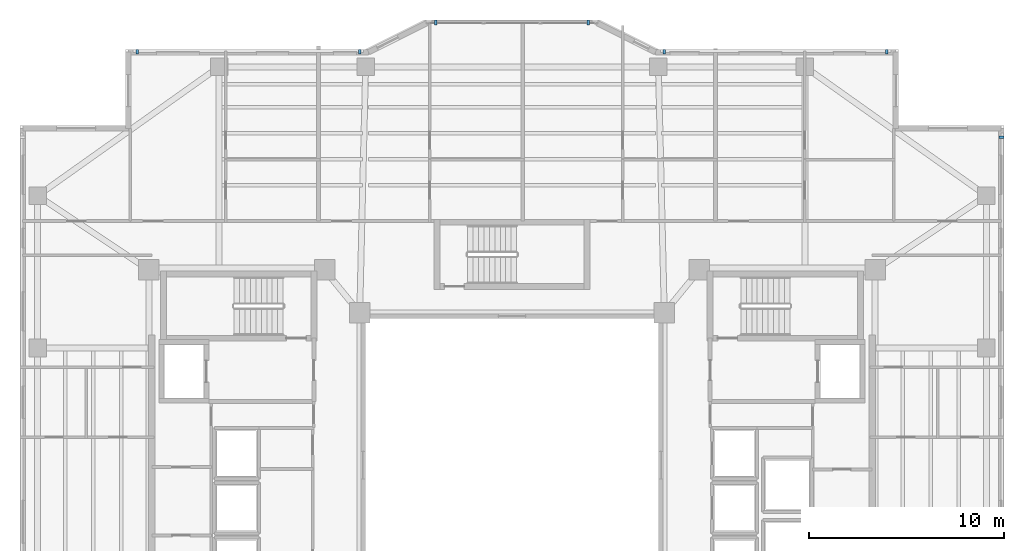
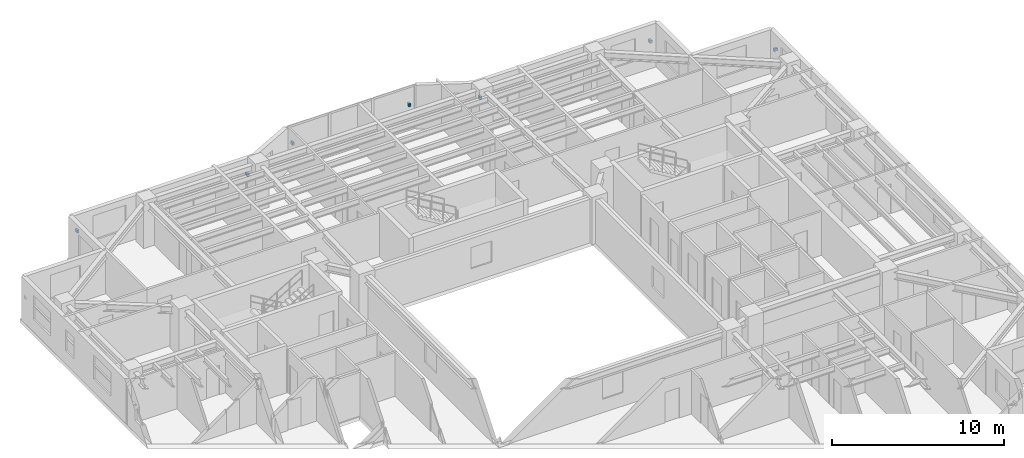
# One storey, part 13 of 16: 7 discrete accessories.
"""IFC4 building model written with IfcOpenShell, lengths in metres."""

from ifc_helpers import new_model, si_unit, direction, frame, origin, origin_2d, place, context, subcontext, project, spatial, rectangle, extrude, material, type_object, element, save


model = new_model("IFC4")

# Units and contexts
model_context = context("Model", 3, precision=1e-05, world=origin(), true_north=direction((0.0, 1.0)))
body_context = subcontext(model_context, "Body", "Model", "MODEL_VIEW")
ifc_project = project(units=[si_unit("LENGTHUNIT", "METRE"), si_unit("AREAUNIT", "SQUARE_METRE"), si_unit("VOLUMEUNIT", "CUBIC_METRE"), si_unit("PLANEANGLEUNIT", "RADIAN"), si_unit("MASSUNIT", "GRAM", prefix="KILO")], contexts=[model_context])

# Site, building, storey
site_placement = place(None, origin())
site = spatial("IfcSite", under=ifc_project, at=site_placement, CompositionType="ELEMENT")
building_placement = place(site_placement, origin())
building = spatial("IfcBuilding", under=site, at=building_placement, Name="Tarnavaz Court Tower", CompositionType="ELEMENT")
storey_placement = place(building_placement, frame((0.0, 0.0, 135.949951171875)))
storey = spatial("IfcBuildingStorey", under=building, at=storey_placement, Name="L36", CompositionType="ELEMENT", Elevation=135.949951171875)

# Discrete accessories
ifc_material = material(Name="Anodised Aluminium 6063-T6", Category="aluminium")
discrete_accessory_type = type_object("IfcDiscreteAccessoryType", Name="DA-BRKT-ALU", PredefinedType="BRACKET", material=ifc_material)
for number, where, z_axis, x_axis, name in (
    (1, (-19.199951171875, 21.169921875, 1.75), (0.0, 0.0, 1.0), (1.0, 0.0, 0.0), "L36 Baguette Outrigger Bracket FBG05-1"),
    (2, (-7.800048828125, 21.169921875, 1.75), (0.0, 0.0, 1.0), (1.0, 0.0, 0.0), "L36 Baguette Outrigger Bracket FBG05-2"),
    (3, (-3.89990234375, 22.669921875, 1.7001953125), (0.0, 0.0, 1.0), (1.0, 0.0, 0.0), "L36 Baguette Outrigger Bracket PBG7-1"),
    (4, (3.89990234375, 22.669921875, 1.7001953125), (0.0, 0.0, 1.0), (1.0, 0.0, 0.0), "L36 Baguette Outrigger Bracket PBG7-2"),
    (5, (7.800048828125, 21.169921875, 1.75), (0.0, 0.0, 1.0), (1.0, 0.0, 0.0), "L36 Baguette Outrigger Bracket FBG09-1"),
    (6, (19.199951171875, 21.169921875, 1.75), (0.0, 0.0, 1.0), (1.0, 0.0, 0.0), "L36 Baguette Outrigger Bracket FBG09-2"),
    (7, (25.070068359375, 16.800048828125, 1.75), (0.0, 0.0, 1.0), (0.0, -1.0, 0.0), "L36 Baguette Outrigger Bracket FBG12-1"),
):
    element("IfcDiscreteAccessory", number, at=place(storey_placement, frame(where, z_axis=z_axis, x_axis=x_axis)), inside=storey, type_object=discrete_accessory_type, Name=name, PredefinedType="BRACKET", context=body_context, shape_type="SweptSolid", body=[
        extrude(rectangle(XDim=0.139892578125, YDim=0.239990234375, at=origin_2d()), origin(), (0.0, 0.0, 1.0), 0.199951171875),
    ])

save(model, "model.ifc")
